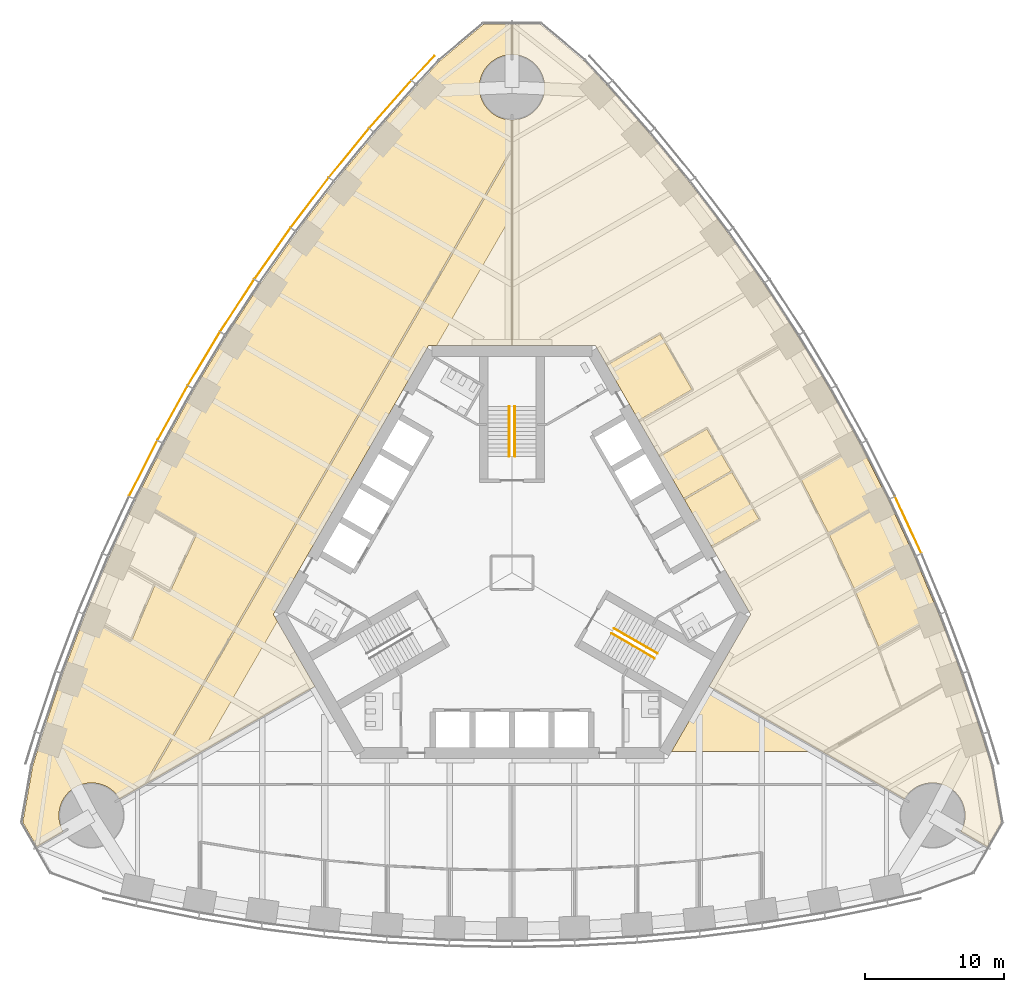
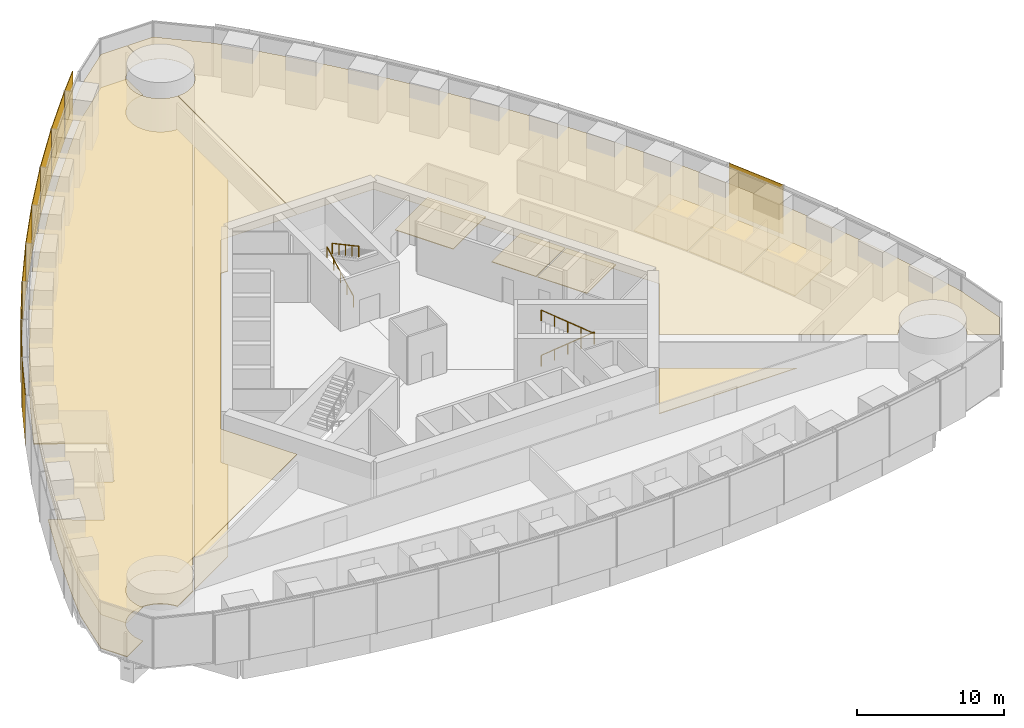
# One storey, part 15 of 18: 11 coverings, 10 shading devices, 4 railings.
"""IFC4 building model written with IfcOpenShell, lengths in metres."""

from ifc_helpers import new_model, si_unit, direction, frame, origin, origin_2d, place, context, subcontext, project, spatial, polyline, rectangle, circle, outline, extrude, material, layer, layer_set, type_object, element, save


model = new_model("IFC4")

# Units and contexts
model_context = context("Model", 3, precision=1e-05, world=origin(), true_north=direction((0.0, 1.0)))
body_context = subcontext(model_context, "Body", "Model", "MODEL_VIEW")
ifc_project = project(units=[si_unit("LENGTHUNIT", "METRE"), si_unit("AREAUNIT", "SQUARE_METRE"), si_unit("VOLUMEUNIT", "CUBIC_METRE"), si_unit("PLANEANGLEUNIT", "RADIAN"), si_unit("MASSUNIT", "GRAM", prefix="KILO")], contexts=[model_context])

# Site, building, storey
site_placement = place(None, origin())
site = spatial("IfcSite", under=ifc_project, at=site_placement, CompositionType="ELEMENT")
building_placement = place(site_placement, origin())
building = spatial("IfcBuilding", under=site, at=building_placement, Name="Trefoil Bronze Tower", CompositionType="ELEMENT")
storey_placement = place(building_placement, frame((0.0, 0.0, 111.5)))
storey = spatial("IfcBuildingStorey", under=building, at=storey_placement, Name="L25", CompositionType="ELEMENT", Elevation=111.5)

# Shading devices
ifc_material_1 = material(Name="Perforated bronze sheet", Category="bronze")
ifc_layer_1 = layer(ifc_material_1, 0.0400390625)
ifc_layer_set_1 = layer_set([ifc_layer_1], Name="Bronze solar screen panel")
shading_device_type = type_object("IfcShadingDeviceType", Name="Bronze solar screen panel", PredefinedType="SHUTTER", material=ifc_layer_set_1)
shading_device_1_placement = place(storey_placement, frame((28.563720703125, 3.444580078125, 0.050048828125), z_axis=(0.0, 0.0, 1.0), x_axis=(-0.419932995871, 0.907555110712, 0.0)))
element("IfcShadingDevice", 1, at=shading_device_1_placement, inside=storey, type_object=shading_device_type, Name="Solar screen CW-A L25 F2 bay 5", PredefinedType="SHUTTER", context=body_context, shape_type="SweptSolid", body=[
    extrude(rectangle(XDim=4.48828125, YDim=0.0400390625, at=origin_2d()), origin(), (0.0, 0.0, 1.0), 4.10009765625),
])
shading_device_2_placement = place(storey_placement, frame((-6.416748046875, 36.383544921875, 0.050048828125), z_axis=(0.0, 0.0, 1.0), x_axis=(-0.682535770759, -0.730852188636, 0.0)))
element("IfcShadingDevice", 2, at=shading_device_2_placement, inside=storey, type_object=shading_device_type, Name="Solar screen CW-A L25 F3 bay 1", PredefinedType="SHUTTER", context=body_context, shape_type="SweptSolid", body=[
    extrude(rectangle(XDim=2.39013671875, YDim=0.0400390625, at=origin_2d()), origin(), (0.0, 0.0, 1.0), 4.10009765625),
])
shading_device_3_placement = place(storey_placement, frame((-8.77197265625, 33.766845703125, 0.050048828125), z_axis=(0.0, 0.0, 1.0), x_axis=(-0.661751405978, -0.749723333428, 0.0)))
element("IfcShadingDevice", 3, at=shading_device_3_placement, inside=storey, type_object=shading_device_type, Name="Solar screen CW-A L25 F3 bay 2", PredefinedType="SHUTTER", context=body_context, shape_type="SweptSolid", body=[
    extrude(rectangle(XDim=4.56103515625, YDim=0.0400390625, at=origin_2d()), origin(), (0.0, 0.0, 1.0), 4.10009765625),
])
shading_device_4_placement = place(storey_placement, frame((-11.7490234375, 30.26708984375, 0.050048828125), z_axis=(0.0, 0.0, 1.0), x_axis=(-0.633839916024, -0.773464259584, 0.0)))
element("IfcShadingDevice", 4, at=shading_device_4_placement, inside=storey, type_object=shading_device_type, Name="Solar screen CW-A L25 F3 bay 3", PredefinedType="SHUTTER", context=body_context, shape_type="SweptSolid", body=[
    extrude(rectangle(XDim=4.5302734375, YDim=0.0400390625, at=origin_2d()), origin(), (0.0, 0.0, 1.0), 4.10009765625),
])
shading_device_5_placement = place(storey_placement, frame((-14.579345703125, 26.6826171875, 0.050048828125), z_axis=(0.0, 0.0, 1.0), x_axis=(-0.605252319983, -0.796033685943, 0.0)))
element("IfcShadingDevice", 5, at=shading_device_5_placement, inside=storey, type_object=shading_device_type, Name="Solar screen CW-A L25 F3 bay 4", PredefinedType="SHUTTER", context=body_context, shape_type="SweptSolid", body=[
    extrude(rectangle(XDim=4.50634765625, YDim=0.0400390625, at=origin_2d()), origin(), (0.0, 0.0, 1.0), 4.10009765625),
])
shading_device_6_placement = place(storey_placement, frame((-17.264892578125, 23.014404296875, 0.050048828125), z_axis=(0.0, 0.0, 1.0), x_axis=(-0.575999283275, -0.817450197667, 0.0)))
element("IfcShadingDevice", 6, at=shading_device_6_placement, inside=storey, type_object=shading_device_type, Name="Solar screen CW-A L25 F3 bay 5", PredefinedType="SHUTTER", context=body_context, shape_type="SweptSolid", body=[
    extrude(rectangle(XDim=4.48828125, YDim=0.0400390625, at=origin_2d()), origin(), (0.0, 0.0, 1.0), 4.10009765625),
])
shading_device_7_placement = place(storey_placement, frame((-19.8076171875, 19.263916015625, 0.050048828125), z_axis=(0.0, 0.0, 1.0), x_axis=(-0.546088612237, -0.837727418427, 0.0)))
element("IfcShadingDevice", 7, at=shading_device_7_placement, inside=storey, type_object=shading_device_type, Name="Solar screen CW-A L25 F3 bay 6", PredefinedType="SHUTTER", context=body_context, shape_type="SweptSolid", body=[
    extrude(rectangle(XDim=4.4765625, YDim=0.0400390625, at=origin_2d()), origin(), (0.0, 0.0, 1.0), 4.10009765625),
])
for number, where, z_axis, x_axis, name in (
    (8, (-22.208740234375, 15.431396484375, 0.050048828125), (0.0, 0.0, 1.0), (-0.515525413486, -0.856874289526, 0.0), "Solar screen CW-A L25 F3 bay 7"),
    (9, (-24.468505859375, 11.517578125, 0.050048828125), (0.0, 0.0, 1.0), (-0.484312195836, -0.874895249138, 0.0), "Solar screen CW-A L25 F3 bay 8"),
):
    element("IfcShadingDevice", number, at=place(storey_placement, frame(where, z_axis=z_axis, x_axis=x_axis)), inside=storey, type_object=shading_device_type, Name=name, PredefinedType="SHUTTER", context=body_context, shape_type="SweptSolid", body=[
        extrude(rectangle(XDim=4.470703125, YDim=0.0400390625, at=origin_2d()), origin(), (0.0, 0.0, 1.0), 4.10009765625),
    ])
shading_device_8_placement = place(storey_placement, frame((-26.5869140625, 7.52197265625, 0.050048828125), z_axis=(0.0, 0.0, 1.0), x_axis=(-0.452448919686, -0.891790320128, 0.0)))
element("IfcShadingDevice", 10, at=shading_device_8_placement, inside=storey, type_object=shading_device_type, Name="Solar screen CW-A L25 F3 bay 9", PredefinedType="SHUTTER", context=body_context, shape_type="SweptSolid", body=[
    extrude(rectangle(XDim=4.4765625, YDim=0.0400390625, at=origin_2d()), origin(), (0.0, 0.0, 1.0), 4.10009765625),
])

# Railings
ifc_material_2 = material(Name="Steel handrail", Category="steel")
railing_type = type_object("IfcRailingType", Name="Handrail 900", PredefinedType="HANDRAIL", material=ifc_material_2)
railing_1_placement = place(storey_placement, frame((7.365966796875, -4.021728515625, 0.16162109375)))
element("IfcRailing", 11, at=railing_1_placement, inside=storey, type_object=railing_type, Name="Handrail ST1 flight 1 L25", PredefinedType="HANDRAIL", context=body_context, shape_type="SweptSolid", body=[
    extrude(circle(Radius=0.02392578125, at=origin_2d()), frame((0.0, 0.0, 0.8759765625), z_axis=(0.76250339821, -0.440245697338, 0.474101564745), x_axis=(0.500012057535, 0.866018442252, 0.0)), (0.0, 0.0, 1.0), 4.088623046875),
    extrude(circle(Radius=0.02099609375, at=origin_2d()), origin(), (0.0, 0.0, 1.0), 0.851806640625),
    extrude(circle(Radius=0.02099609375, at=origin_2d()), frame((0.779296875, -0.449951171875, 0.484619140625)), (0.0, 0.0, 1.0), 0.851806640625),
    extrude(circle(Radius=0.02099609375, at=origin_2d()), frame((1.558837890625, -0.89990234375, 0.96923828125)), (0.0, 0.0, 1.0), 0.851806640625),
    extrude(circle(Radius=0.02099609375, at=origin_2d()), frame((2.33837890625, -1.35009765625, 1.453857421875)), (0.0, 0.0, 1.0), 0.851806640625),
    extrude(circle(Radius=0.02099609375, at=origin_2d()), frame((3.11767578125, -1.800048828125, 1.9384765625)), (0.0, 0.0, 1.0), 0.851806640625),
])
railing_2_placement = place(storey_placement, frame((10.28369140625, -6.168212890625, 2.261474609375)))
element("IfcRailing", 12, at=railing_2_placement, inside=storey, type_object=railing_type, Name="Handrail ST1 flight 2 L25", PredefinedType="HANDRAIL", context=body_context, shape_type="SweptSolid", body=[
    extrude(circle(Radius=0.02392578125, at=origin_2d()), frame((0.0, 0.0, 0.8759765625), z_axis=(-0.76250339821, 0.440245697338, 0.474101564745), x_axis=(-0.500012057535, -0.866018442252, 0.0)), (0.0, 0.0, 1.0), 4.088623046875),
    extrude(circle(Radius=0.02099609375, at=origin_2d()), origin(), (0.0, 0.0, 1.0), 0.851806640625),
    extrude(circle(Radius=0.02099609375, at=origin_2d()), frame((-0.779296875, 0.449951171875, 0.484619140625)), (0.0, 0.0, 1.0), 0.851806640625),
    extrude(circle(Radius=0.02099609375, at=origin_2d()), frame((-1.558837890625, 0.89990234375, 0.96923828125)), (0.0, 0.0, 1.0), 0.851806640625),
    extrude(circle(Radius=0.02099609375, at=origin_2d()), frame((-2.33837890625, 1.35009765625, 1.453857421875)), (0.0, 0.0, 1.0), 0.851806640625),
    extrude(circle(Radius=0.02099609375, at=origin_2d()), frame((-3.11767578125, 1.800048828125, 1.9384765625)), (0.0, 0.0, 1.0), 0.851806640625),
])
railing_3_placement = place(storey_placement, frame((-0.199951171875, 8.389892578125, 0.16162109375)))
element("IfcRailing", 13, at=railing_3_placement, inside=storey, type_object=railing_type, Name="Handrail ST2 flight 1 L25", PredefinedType="HANDRAIL", context=body_context, shape_type="SweptSolid", body=[
    extrude(circle(Radius=0.02392578125, at=origin_2d()), frame((0.0, 0.0, 0.8759765625), z_axis=(0.0, 0.880474934443, 0.474092701714), x_axis=(-1.0, 0.0, 0.0)), (0.0, 0.0, 1.0), 4.0888671875),
    extrude(circle(Radius=0.02099609375, at=origin_2d()), origin(), (0.0, 0.0, 1.0), 0.851806640625),
    extrude(circle(Radius=0.02099609375, at=origin_2d()), frame((0.0, 0.89990234375, 0.484619140625)), (0.0, 0.0, 1.0), 0.851806640625),
    extrude(circle(Radius=0.02099609375, at=origin_2d()), frame((0.0, 1.800048828125, 0.96923828125)), (0.0, 0.0, 1.0), 0.851806640625),
    extrude(circle(Radius=0.02099609375, at=origin_2d()), frame((0.0, 2.7001953125, 1.453857421875)), (0.0, 0.0, 1.0), 0.851806640625),
    extrude(circle(Radius=0.02099609375, at=origin_2d()), frame((0.0, 3.60009765625, 1.9384765625)), (0.0, 0.0, 1.0), 0.851806640625),
])
railing_4_placement = place(storey_placement, frame((0.199951171875, 11.989990234375, 2.261474609375)))
element("IfcRailing", 14, at=railing_4_placement, inside=storey, type_object=railing_type, Name="Handrail ST2 flight 2 L25", PredefinedType="HANDRAIL", context=body_context, shape_type="SweptSolid", body=[
    extrude(circle(Radius=0.02392578125, at=origin_2d()), frame((0.0, 0.0, 0.8759765625), z_axis=(0.0, -0.880474934443, 0.474092701714), x_axis=(1.0, 0.0, 0.0)), (0.0, 0.0, 1.0), 4.0888671875),
    extrude(circle(Radius=0.02099609375, at=origin_2d()), origin(), (0.0, 0.0, 1.0), 0.851806640625),
    extrude(circle(Radius=0.02099609375, at=origin_2d()), frame((0.0, -0.89990234375, 0.484619140625)), (0.0, 0.0, 1.0), 0.851806640625),
    extrude(circle(Radius=0.02099609375, at=origin_2d()), frame((0.0, -1.800048828125, 0.96923828125)), (0.0, 0.0, 1.0), 0.851806640625),
    extrude(circle(Radius=0.02099609375, at=origin_2d()), frame((0.0, -2.7001953125, 1.453857421875)), (0.0, 0.0, 1.0), 0.851806640625),
    extrude(circle(Radius=0.02099609375, at=origin_2d()), frame((0.0, -3.60009765625, 1.9384765625)), (0.0, 0.0, 1.0), 0.851806640625),
])

# Coverings
ifc_material_3 = material(Name="Acoustic ceiling panels", Category="mineral fibre")
ifc_layer_2 = layer(ifc_material_3, 0.02001953125)
ifc_layer_set_2 = layer_set([ifc_layer_2], Name="Office ceiling 20")
covering_type_1 = type_object("IfcCoveringType", Name="Office ceiling 20", PredefinedType="CEILING", material=ifc_layer_set_2)
covering_1_placement = place(storey_placement, frame((0.0, 0.0, 2.89990234375)))
element("IfcCovering", 15, at=covering_1_placement, inside=storey, type_object=covering_type_1, Name="Ceiling L25 Client suite F2", PredefinedType="CEILING", context=body_context, shape_type="SweptSolid", body=[
    extrude(outline(polyline([(6.847900390625, 35.130615234375), (9.885986328125, 31.6884765625), (12.776611328125, 28.1611328125), (15.522216796875, 24.55029296875), (18.124755859375, 20.856689453125), (20.585693359375, 17.081298828125), (22.906005859375, 13.224853515625), (25.085693359375, 9.287109375), (27.124755859375, 5.268310546875), (29.022216796875, 1.16748046875), (30.776611328125, -3.015625), (32.385986328125, -7.28271484375), (33.847900390625, -11.634765625), (34.5537109375, -13.94970703125), (35.2666015625, -17.99169921875), (34.247802734375, -19.755859375), (32.352294921875, -18.66259765625), (32.38330078125, -18.60791015625), (32.435302734375, -18.5048828125), (32.48193359375, -18.3994140625), (32.5234375, -18.291748046875), (32.559814453125, -18.18212890625), (32.590576171875, -18.071044921875), (32.61572265625, -17.95849609375), (32.635498046875, -17.8447265625), (32.649658203125, -17.730224609375), (32.658203125, -17.615234375), (32.660888671875, -17.5), (32.658203125, -17.384765625), (32.649658203125, -17.269775390625), (32.635498046875, -17.1552734375), (32.61572265625, -17.04150390625), (32.590576171875, -16.928955078125), (32.559814453125, -16.81787109375), (32.5234375, -16.708251953125), (32.48193359375, -16.6005859375), (32.435302734375, -16.4951171875), (32.38330078125, -16.39208984375), (32.32666015625, -16.2919921875), (32.264892578125, -16.1943359375), (32.198486328125, -16.10009765625), (32.12744140625, -16.00927734375), (32.052001953125, -15.921875), (31.97265625, -15.83837890625), (31.88916015625, -15.7587890625), (31.8017578125, -15.683349609375), (31.710693359375, -15.612548828125), (31.616455078125, -15.5458984375), (31.51904296875, -15.484375), (31.418701171875, -15.427490234375), (31.315673828125, -15.37548828125), (31.210205078125, -15.328857421875), (31.1025390625, -15.287353515625), (30.9931640625, -15.251220703125), (30.8818359375, -15.220458984375), (30.769287109375, -15.1953125), (30.65576171875, -15.17529296875), (30.541259765625, -15.161376953125), (30.42626953125, -15.15283203125), (30.310791015625, -15.14990234375), (30.195556640625, -15.15283203125), (30.08056640625, -15.161376953125), (29.966064453125, -15.17529296875), (29.852294921875, -15.1953125), (29.739990234375, -15.220458984375), (29.628662109375, -15.251220703125), (29.519287109375, -15.287353515625), (29.41162109375, -15.328857421875), (29.30615234375, -15.37548828125), (29.203125, -15.427490234375), (29.102783203125, -15.484375), (29.00537109375, -15.5458984375), (28.910888671875, -15.612548828125), (28.820068359375, -15.683349609375), (28.732666015625, -15.7587890625), (28.649169921875, -15.83837890625), (28.569580078125, -15.921875), (28.494384765625, -16.00927734375), (28.42333984375, -16.10009765625), (28.35693359375, -16.1943359375), (28.295166015625, -16.2919921875), (28.2822265625, -16.314697265625), (14.205810546875, -8.194580078125), (17.205078125, -3.0), (6.00439453125, 16.39990234375), (0.006103515625, 16.39990234375), (0.01220703125, 32.650390625), (0.115234375, 32.65283203125), (0.230224609375, 32.661376953125), (0.3447265625, 32.67529296875), (0.45849609375, 32.6953125), (0.571044921875, 32.720458984375), (0.68212890625, 32.751220703125), (0.791748046875, 32.787353515625), (0.8994140625, 32.828857421875), (1.0048828125, 32.87548828125), (1.10791015625, 32.927490234375), (1.2080078125, 32.984375), (1.3056640625, 33.0458984375), (1.39990234375, 33.112548828125), (1.49072265625, 33.183349609375), (1.578125, 33.2587890625), (1.66162109375, 33.33837890625), (1.7412109375, 33.421875), (1.816650390625, 33.50927734375), (1.887451171875, 33.60009765625), (1.9541015625, 33.6943359375), (2.015625, 33.7919921875), (2.072509765625, 33.89208984375), (2.12451171875, 33.9951171875), (2.171142578125, 34.1005859375), (2.212646484375, 34.208251953125), (2.248779296875, 34.31787109375), (2.279541015625, 34.428955078125), (2.3046875, 34.54150390625), (2.32470703125, 34.6552734375), (2.338623046875, 34.769775390625), (2.34716796875, 34.884765625), (2.35009765625, 35.0), (2.34716796875, 35.115234375), (2.338623046875, 35.230224609375), (2.32470703125, 35.3447265625), (2.3046875, 35.45849609375), (2.279541015625, 35.571044921875), (2.248779296875, 35.68212890625), (2.212646484375, 35.791748046875), (2.171142578125, 35.8994140625), (2.12451171875, 36.0048828125), (2.072509765625, 36.10791015625), (2.015625, 36.2080078125), (1.9541015625, 36.3056640625), (1.887451171875, 36.39990234375), (1.816650390625, 36.49072265625), (1.7412109375, 36.578125), (1.66162109375, 36.66162109375), (1.578125, 36.7412109375), (1.49072265625, 36.816650390625), (1.39990234375, 36.887451171875), (1.3056640625, 36.9541015625), (1.2080078125, 37.015625), (1.10791015625, 37.072509765625), (1.0048828125, 37.12451171875), (0.8994140625, 37.171142578125), (0.791748046875, 37.212646484375), (0.68212890625, 37.248779296875), (0.571044921875, 37.279541015625), (0.45849609375, 37.3046875), (0.3447265625, 37.32470703125), (0.230224609375, 37.338623046875), (0.115234375, 37.34716796875), (0.013916015625, 37.349609375), (0.014892578125, 39.53759765625), (2.052001953125, 39.53759765625), (5.1962890625, 36.8994140625), (6.847900390625, 35.130615234375)])), origin(), (0.0, 0.0, 1.0), 0.02001953125),
])
covering_2_placement = place(storey_placement, frame((0.0, 0.0, 2.89990234375)))
element("IfcCovering", 16, at=covering_2_placement, inside=storey, type_object=covering_type_1, Name="Ceiling L25 Open-plan office F3", PredefinedType="CEILING", context=body_context, shape_type="SweptSolid", body=[
    extrude(outline(polyline([(-33.847900390625, -11.634765625), (-32.385986328125, -7.28271484375), (-30.776611328125, -3.015625), (-29.022216796875, 1.16748046875), (-27.124755859375, 5.268310546875), (-25.085693359375, 9.287109375), (-22.906005859375, 13.224853515625), (-20.585693359375, 17.081298828125), (-18.124755859375, 20.856689453125), (-15.522216796875, 24.55029296875), (-12.776611328125, 28.1611328125), (-9.885986328125, 31.6884765625), (-6.847900390625, 35.130615234375), (-5.1962890625, 36.8994140625), (-2.052001953125, 39.53759765625), (-0.014892578125, 39.53759765625), (-0.013916015625, 37.349609375), (-0.115234375, 37.34716796875), (-0.230224609375, 37.338623046875), (-0.3447265625, 37.32470703125), (-0.45849609375, 37.3046875), (-0.571044921875, 37.279541015625), (-0.68212890625, 37.248779296875), (-0.791748046875, 37.212646484375), (-0.8994140625, 37.171142578125), (-1.0048828125, 37.12451171875), (-1.10791015625, 37.072509765625), (-1.2080078125, 37.015625), (-1.3056640625, 36.9541015625), (-1.39990234375, 36.887451171875), (-1.49072265625, 36.816650390625), (-1.578125, 36.7412109375), (-1.66162109375, 36.66162109375), (-1.7412109375, 36.578125), (-1.816650390625, 36.49072265625), (-1.887451171875, 36.39990234375), (-1.9541015625, 36.3056640625), (-2.015625, 36.2080078125), (-2.072509765625, 36.10791015625), (-2.12451171875, 36.0048828125), (-2.171142578125, 35.8994140625), (-2.212646484375, 35.791748046875), (-2.248779296875, 35.68212890625), (-2.279541015625, 35.571044921875), (-2.3046875, 35.45849609375), (-2.32470703125, 35.3447265625), (-2.338623046875, 35.230224609375), (-2.34716796875, 35.115234375), (-2.35009765625, 35.0), (-2.34716796875, 34.884765625), (-2.338623046875, 34.769775390625), (-2.32470703125, 34.6552734375), (-2.3046875, 34.54150390625), (-2.279541015625, 34.428955078125), (-2.248779296875, 34.31787109375), (-2.212646484375, 34.208251953125), (-2.171142578125, 34.1005859375), (-2.12451171875, 33.9951171875), (-2.072509765625, 33.89208984375), (-2.015625, 33.7919921875), (-1.9541015625, 33.6943359375), (-1.887451171875, 33.60009765625), (-1.816650390625, 33.50927734375), (-1.7412109375, 33.421875), (-1.66162109375, 33.33837890625), (-1.578125, 33.2587890625), (-1.49072265625, 33.183349609375), (-1.39990234375, 33.112548828125), (-1.3056640625, 33.0458984375), (-1.2080078125, 32.984375), (-1.10791015625, 32.927490234375), (-1.0048828125, 32.87548828125), (-0.8994140625, 32.828857421875), (-0.791748046875, 32.787353515625), (-0.68212890625, 32.751220703125), (-0.571044921875, 32.720458984375), (-0.45849609375, 32.6953125), (-0.3447265625, 32.67529296875), (-0.230224609375, 32.661376953125), (-0.115234375, 32.65283203125), (-0.01220703125, 32.650390625), (-0.006103515625, 16.39990234375), (-6.00439453125, 16.39990234375), (-17.205078125, -3.0), (-14.205810546875, -8.194580078125), (-28.2822265625, -16.314697265625), (-28.295166015625, -16.2919921875), (-28.35693359375, -16.1943359375), (-28.42333984375, -16.10009765625), (-28.494384765625, -16.00927734375), (-28.569580078125, -15.921875), (-28.649169921875, -15.83837890625), (-28.732666015625, -15.7587890625), (-28.820068359375, -15.683349609375), (-28.910888671875, -15.612548828125), (-29.00537109375, -15.5458984375), (-29.102783203125, -15.484375), (-29.203125, -15.427490234375), (-29.30615234375, -15.37548828125), (-29.41162109375, -15.328857421875), (-29.519287109375, -15.287353515625), (-29.628662109375, -15.251220703125), (-29.739990234375, -15.220458984375), (-29.852294921875, -15.1953125), (-29.966064453125, -15.17529296875), (-30.08056640625, -15.161376953125), (-30.195556640625, -15.15283203125), (-30.310791015625, -15.14990234375), (-30.42626953125, -15.15283203125), (-30.541259765625, -15.161376953125), (-30.65576171875, -15.17529296875), (-30.769287109375, -15.1953125), (-30.8818359375, -15.220458984375), (-30.9931640625, -15.251220703125), (-31.1025390625, -15.287353515625), (-31.210205078125, -15.328857421875), (-31.315673828125, -15.37548828125), (-31.418701171875, -15.427490234375), (-31.51904296875, -15.484375), (-31.616455078125, -15.5458984375), (-31.710693359375, -15.612548828125), (-31.8017578125, -15.683349609375), (-31.88916015625, -15.7587890625), (-31.97265625, -15.83837890625), (-32.052001953125, -15.921875), (-32.12744140625, -16.00927734375), (-32.198486328125, -16.10009765625), (-32.264892578125, -16.1943359375), (-32.32666015625, -16.2919921875), (-32.38330078125, -16.39208984375), (-32.435302734375, -16.4951171875), (-32.48193359375, -16.6005859375), (-32.5234375, -16.708251953125), (-32.559814453125, -16.81787109375), (-32.590576171875, -16.928955078125), (-32.61572265625, -17.04150390625), (-32.635498046875, -17.1552734375), (-32.649658203125, -17.269775390625), (-32.658203125, -17.384765625), (-32.660888671875, -17.5), (-32.658203125, -17.615234375), (-32.649658203125, -17.730224609375), (-32.635498046875, -17.8447265625), (-32.61572265625, -17.95849609375), (-32.590576171875, -18.071044921875), (-32.559814453125, -18.18212890625), (-32.5234375, -18.291748046875), (-32.48193359375, -18.3994140625), (-32.435302734375, -18.5048828125), (-32.38330078125, -18.60791015625), (-32.352294921875, -18.66259765625), (-34.247802734375, -19.755859375), (-35.2666015625, -17.99169921875), (-34.5537109375, -13.94970703125), (-33.847900390625, -11.634765625)])), origin(), (0.0, 0.0, 1.0), 0.02001953125),
])
ifc_material_4 = material(Name="Raised access floor panels", Category="steel")
ifc_layer_3 = layer(ifc_material_4, 0.050048828125)
ifc_layer_set_3 = layer_set([ifc_layer_3], Name="Raised access floor 150")
covering_type_2 = type_object("IfcCoveringType", Name="Raised access floor 150", PredefinedType="FLOORING", material=ifc_layer_set_3)
covering_3_placement = place(storey_placement, frame((0.0, 0.0, 0.10009765625)))
element("IfcCovering", 17, at=covering_3_placement, inside=storey, type_object=covering_type_2, Name="Raised floor L25 Open-plan office F1", PredefinedType="FLOORING", context=body_context, shape_type="SweptSolid", body=[
    extrude(outline(polyline([(14.19970703125, -8.205322265625), (22.32421875, -12.89990234375), (11.4892578125, -12.89990234375), (14.19970703125, -8.205322265625)])), origin(), (0.0, 0.0, 1.0), 0.0498046875),
])
covering_4_placement = place(storey_placement, frame((0.0, 0.0, 0.10009765625)))
element("IfcCovering", 18, at=covering_4_placement, inside=storey, type_object=covering_type_2, Name="Raised floor L25 Reception F2", PredefinedType="FLOORING", context=body_context, shape_type="SweptSolid", body=[
    extrude(outline(polyline([(6.834716796875, 14.9619140625), (10.679931640625, 17.181884765625), (12.969970703125, 13.215576171875), (9.124755859375, 10.99560546875), (6.834716796875, 14.9619140625)])), origin(), (0.0, 0.0, 1.0), 0.0498046875),
])
covering_5_placement = place(storey_placement, frame((0.0, 0.0, 0.10009765625)))
element("IfcCovering", 19, at=covering_5_placement, inside=storey, type_object=covering_type_2, Name="Raised floor L25 Waiting room F2", PredefinedType="FLOORING", context=body_context, shape_type="SweptSolid", body=[
    extrude(outline(polyline([(12.434814453125, 5.262451171875), (15.846923828125, 7.232421875), (17.786865234375, 3.872314453125), (14.374755859375, 1.902099609375), (12.434814453125, 5.262451171875)])), origin(), (0.0, 0.0, 1.0), 0.0498046875),
])
covering_6_placement = place(storey_placement, frame((0.0, 0.0, 0.10009765625)))
element("IfcCovering", 20, at=covering_6_placement, inside=storey, type_object=covering_type_2, Name="Raised floor L25 Meeting room F2", PredefinedType="FLOORING", context=body_context, shape_type="SweptSolid", body=[
    extrude(outline(polyline([(10.634765625, 8.380126953125), (14.046875, 10.35009765625), (15.786865234375, 7.336181640625), (12.374755859375, 5.3662109375), (10.634765625, 8.380126953125)])), origin(), (0.0, 0.0, 1.0), 0.0498046875),
])
covering_7_placement = place(storey_placement, frame((0.0, 0.0, 0.10009765625)))
element("IfcCovering", 21, at=covering_7_placement, inside=storey, type_object=covering_type_2, Name="Raised floor L25 Client meeting room F2", PredefinedType="FLOORING", context=body_context, shape_type="SweptSolid", body=[
    extrude(outline(polyline([(25.085693359375, 9.287109375), (27.124755859375, 5.268310546875), (25.709716796875, 4.451171875), (25.6796875, 4.503173828125), (22.819580078125, 2.851806640625), (20.8349609375, 6.763671875), (23.703369140625, 8.419677734375), (23.67333984375, 8.4716796875), (25.085693359375, 9.287109375)])), origin(), (0.0, 0.0, 1.0), 0.0498046875),
])
covering_8_placement = place(storey_placement, frame((0.0, 0.0, 0.10009765625)))
element("IfcCovering", 22, at=covering_8_placement, inside=storey, type_object=covering_type_2, Name="Raised floor L25 Client meeting room F2", PredefinedType="FLOORING", context=body_context, shape_type="SweptSolid", body=[
    extrude(outline(polyline([(27.124755859375, 5.268310546875), (29.022216796875, 1.16748046875), (27.602294921875, 0.347900390625), (27.572509765625, 0.399658203125), (24.718994140625, -1.24755859375), (22.872314453125, 2.74365234375), (25.739501953125, 4.399169921875), (25.709716796875, 4.451171875), (27.124755859375, 5.268310546875)])), origin(), (0.0, 0.0, 1.0), 0.0498046875),
])
covering_9_placement = place(storey_placement, frame((0.0, 0.0, 0.10009765625)))
element("IfcCovering", 23, at=covering_9_placement, inside=storey, type_object=covering_type_2, Name="Raised floor L25 Client meeting room F2", PredefinedType="FLOORING", context=body_context, shape_type="SweptSolid", body=[
    extrude(outline(polyline([(29.022216796875, 1.16748046875), (30.776611328125, -3.015625), (29.350341796875, -3.839111328125), (29.3203125, -3.787353515625), (26.4755859375, -5.4296875), (24.767822265625, -1.35791015625), (27.63232421875, 0.2958984375), (27.602294921875, 0.347900390625), (29.022216796875, 1.16748046875)])), origin(), (0.0, 0.0, 1.0), 0.0498046875),
])
covering_10_placement = place(storey_placement, frame((0.0, 0.0, 0.10009765625)))
element("IfcCovering", 24, at=covering_10_placement, inside=storey, type_object=covering_type_2, Name="Raised floor L25 Corridor F3", PredefinedType="FLOORING", context=body_context, shape_type="SweptSolid", body=[
    extrude(outline(polyline([(-0.011474609375, 30.38037109375), (-0.009765625, 25.783203125), (-5.427001953125, 16.39990234375), (-6.00439453125, 16.39990234375), (-17.205078125, -3.0), (-16.91650390625, -3.5), (-22.333740234375, -12.88330078125), (-26.31591796875, -15.180419921875), (-0.011474609375, 30.38037109375)])), origin(), (0.0, 0.0, 1.0), 0.0498046875),
])
covering_11_placement = place(storey_placement, frame((0.0, 0.0, 0.10009765625)))
element("IfcCovering", 25, at=covering_11_placement, inside=storey, type_object=covering_type_2, Name="Raised floor L25 Open-plan office F3", PredefinedType="FLOORING", context=body_context, shape_type="SweptSolid", body=[
    extrude(outline(polyline([(-32.385986328125, -7.28271484375), (-30.776611328125, -3.015625), (-29.350341796875, -3.839111328125), (-29.38037109375, -3.89111328125), (-27.515869140625, -4.967529296875), (-27.48583984375, -4.915771484375), (-27.430419921875, -4.93896484375), (-25.702392578125, -0.818603515625), (-24.72216796875, -1.384521484375), (-24.692138671875, -1.33251953125), (-24.6376953125, -1.357666015625), (-22.740234375, 2.742919921875), (-22.794677734375, 2.768310546875), (-22.7646484375, 2.8203125), (-25.6796875, 4.503173828125), (-25.709716796875, 4.451171875), (-27.124755859375, 5.268310546875), (-25.085693359375, 9.287109375), (-22.906005859375, 13.224853515625), (-20.585693359375, 17.081298828125), (-18.124755859375, 20.856689453125), (-15.522216796875, 24.55029296875), (-12.776611328125, 28.1611328125), (-9.885986328125, 31.6884765625), (-6.847900390625, 35.130615234375), (-5.1962890625, 36.8994140625), (-2.052001953125, 39.53759765625), (-0.014892578125, 39.53759765625), (-0.013916015625, 37.349609375), (-0.115234375, 37.34716796875), (-0.230224609375, 37.338623046875), (-0.3447265625, 37.32470703125), (-0.45849609375, 37.3046875), (-0.571044921875, 37.279541015625), (-0.68212890625, 37.248779296875), (-0.791748046875, 37.212646484375), (-0.8994140625, 37.171142578125), (-1.0048828125, 37.12451171875), (-1.10791015625, 37.072509765625), (-1.2080078125, 37.015625), (-1.3056640625, 36.9541015625), (-1.39990234375, 36.887451171875), (-1.49072265625, 36.816650390625), (-1.578125, 36.7412109375), (-1.66162109375, 36.66162109375), (-1.7412109375, 36.578125), (-1.816650390625, 36.49072265625), (-1.887451171875, 36.39990234375), (-1.9541015625, 36.3056640625), (-2.015625, 36.2080078125), (-2.072509765625, 36.10791015625), (-2.12451171875, 36.0048828125), (-2.171142578125, 35.8994140625), (-2.212646484375, 35.791748046875), (-2.248779296875, 35.68212890625), (-2.279541015625, 35.571044921875), (-2.3046875, 35.45849609375), (-2.32470703125, 35.3447265625), (-2.338623046875, 35.230224609375), (-2.34716796875, 35.115234375), (-2.35009765625, 35.0), (-2.34716796875, 34.884765625), (-2.338623046875, 34.769775390625), (-2.32470703125, 34.6552734375), (-2.3046875, 34.54150390625), (-2.279541015625, 34.428955078125), (-2.248779296875, 34.31787109375), (-2.212646484375, 34.208251953125), (-2.171142578125, 34.1005859375), (-2.12451171875, 33.9951171875), (-2.072509765625, 33.89208984375), (-2.015625, 33.7919921875), (-1.9541015625, 33.6943359375), (-1.887451171875, 33.60009765625), (-1.816650390625, 33.50927734375), (-1.7412109375, 33.421875), (-1.66162109375, 33.33837890625), (-1.578125, 33.2587890625), (-1.49072265625, 33.183349609375), (-1.39990234375, 33.112548828125), (-1.3056640625, 33.0458984375), (-1.2080078125, 32.984375), (-1.10791015625, 32.927490234375), (-1.0048828125, 32.87548828125), (-0.8994140625, 32.828857421875), (-0.791748046875, 32.787353515625), (-0.68212890625, 32.751220703125), (-0.571044921875, 32.720458984375), (-0.45849609375, 32.6953125), (-0.3447265625, 32.67529296875), (-0.230224609375, 32.661376953125), (-0.115234375, 32.65283203125), (-0.01220703125, 32.650390625), (-0.011474609375, 30.488525390625), (-0.068359375, 30.521484375), (-26.466552734375, -15.201416015625), (-26.40966796875, -15.234375), (-28.2822265625, -16.314697265625), (-28.295166015625, -16.2919921875), (-28.35693359375, -16.1943359375), (-28.42333984375, -16.10009765625), (-28.494384765625, -16.00927734375), (-28.569580078125, -15.921875), (-28.649169921875, -15.83837890625), (-28.732666015625, -15.7587890625), (-28.820068359375, -15.683349609375), (-28.910888671875, -15.612548828125), (-29.00537109375, -15.5458984375), (-29.102783203125, -15.484375), (-29.203125, -15.427490234375), (-29.30615234375, -15.37548828125), (-29.41162109375, -15.328857421875), (-29.519287109375, -15.287353515625), (-29.628662109375, -15.251220703125), (-29.739990234375, -15.220458984375), (-29.852294921875, -15.1953125), (-29.966064453125, -15.17529296875), (-30.08056640625, -15.161376953125), (-30.195556640625, -15.15283203125), (-30.310791015625, -15.14990234375), (-30.42626953125, -15.15283203125), (-30.541259765625, -15.161376953125), (-30.65576171875, -15.17529296875), (-30.769287109375, -15.1953125), (-30.8818359375, -15.220458984375), (-30.9931640625, -15.251220703125), (-31.1025390625, -15.287353515625), (-31.210205078125, -15.328857421875), (-31.315673828125, -15.37548828125), (-31.418701171875, -15.427490234375), (-31.51904296875, -15.484375), (-31.616455078125, -15.5458984375), (-31.710693359375, -15.612548828125), (-31.8017578125, -15.683349609375), (-31.88916015625, -15.7587890625), (-31.97265625, -15.83837890625), (-32.052001953125, -15.921875), (-32.12744140625, -16.00927734375), (-32.198486328125, -16.10009765625), (-32.264892578125, -16.1943359375), (-32.32666015625, -16.2919921875), (-32.38330078125, -16.39208984375), (-32.435302734375, -16.4951171875), (-32.48193359375, -16.6005859375), (-32.5234375, -16.708251953125), (-32.559814453125, -16.81787109375), (-32.590576171875, -16.928955078125), (-32.61572265625, -17.04150390625), (-32.635498046875, -17.1552734375), (-32.649658203125, -17.269775390625), (-32.658203125, -17.384765625), (-32.660888671875, -17.5), (-32.658203125, -17.615234375), (-32.649658203125, -17.730224609375), (-32.635498046875, -17.8447265625), (-32.61572265625, -17.95849609375), (-32.590576171875, -18.071044921875), (-32.559814453125, -18.18212890625), (-32.5234375, -18.291748046875), (-32.48193359375, -18.3994140625), (-32.435302734375, -18.5048828125), (-32.38330078125, -18.60791015625), (-32.352294921875, -18.66259765625), (-34.247802734375, -19.755859375), (-35.2666015625, -17.99169921875), (-34.5537109375, -13.94970703125), (-33.847900390625, -11.634765625), (-32.385986328125, -7.28271484375)])), origin(), (0.0, 0.0, 1.0), 0.0498046875),
])

save(model, "model.ifc")
